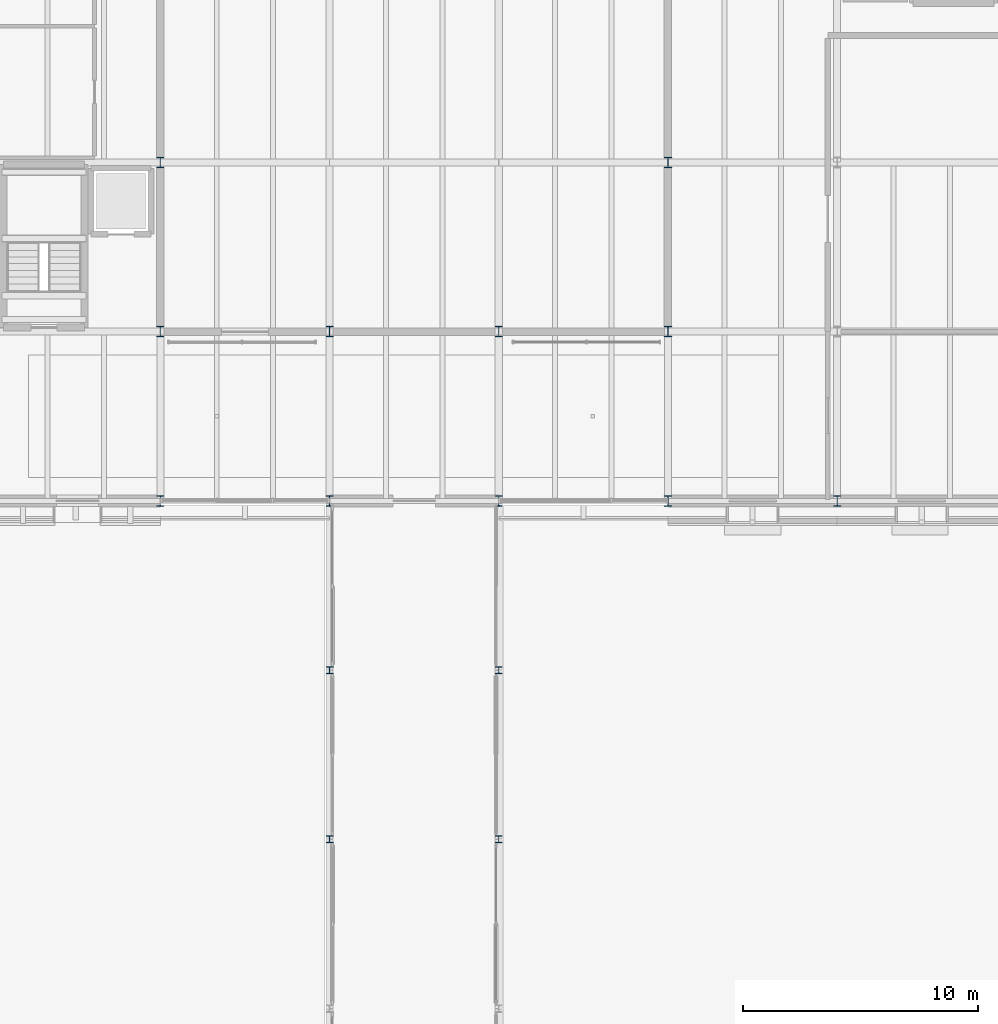
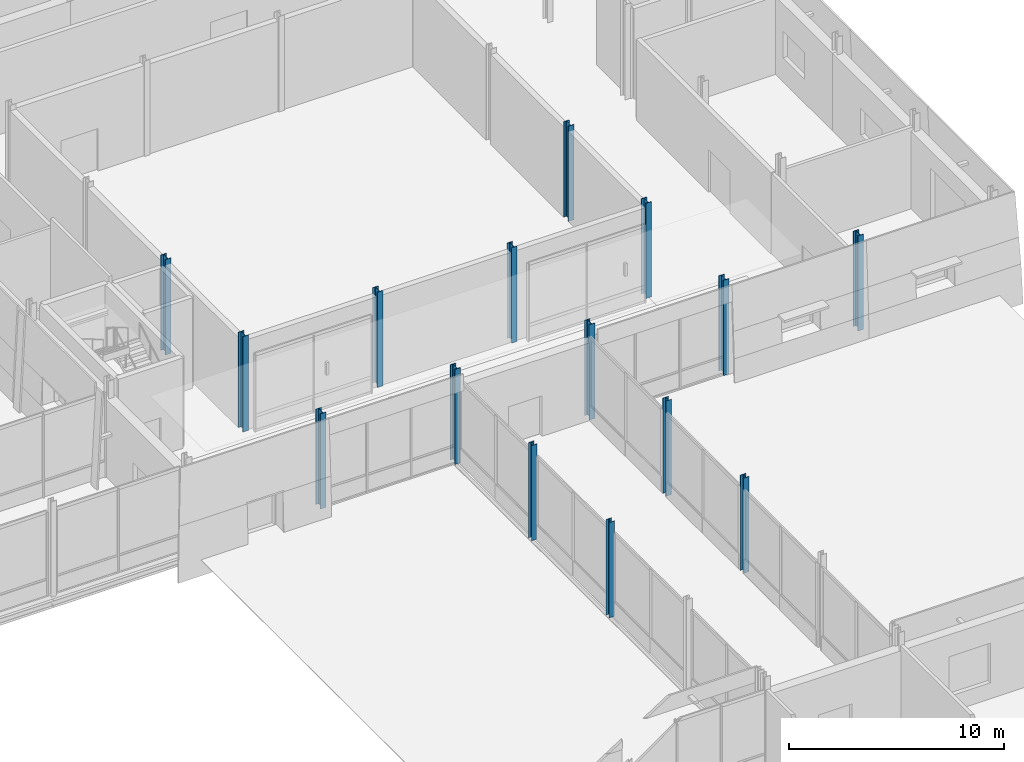
# One storey, part 19 of 120: 15 columns.
"""IFC4 building model written with IfcOpenShell, lengths in metres."""

from ifc_helpers import new_model, si_unit, direction, frame, origin, origin_2d, place, context, subcontext, project, spatial, i_section, extrude, material, material_profile, profile_set, type_object, element, save


model = new_model("IFC4")

# Units and contexts
model_context = context("Model", 3, precision=1e-05, world=origin(), true_north=direction((0.0, 1.0)))
body_context = subcontext(model_context, "Body", "Model", "MODEL_VIEW")
ifc_project = project(units=[si_unit("LENGTHUNIT", "METRE"), si_unit("AREAUNIT", "SQUARE_METRE"), si_unit("VOLUMEUNIT", "CUBIC_METRE"), si_unit("PLANEANGLEUNIT", "RADIAN"), si_unit("MASSUNIT", "GRAM", prefix="KILO")], contexts=[model_context])

# Site, building, storey
site_placement = place(None, origin())
site = spatial("IfcSite", under=ifc_project, at=site_placement, CompositionType="ELEMENT")
building_placement = place(site_placement, origin())
building = spatial("IfcBuilding", under=site, at=building_placement, Name="Narikvali Park Central Library", CompositionType="ELEMENT")
storey_placement = place(building_placement, origin())
storey = spatial("IfcBuildingStorey", under=building, at=storey_placement, Name="L00", CompositionType="ELEMENT", Elevation=0.0)

# Columns
ifc_material = material(Name="Steel S355", Category="steel")
ifc_material_profile_1 = material_profile(ifc_material, i_section(OverallWidth=0.300048828125, OverallDepth=0.300048828125, WebThickness=0.010986328125, FlangeThickness=0.01904296875, FilletRadius=0.027099609375, at=origin_2d()), Name="HEB 300")
ifc_profile_set_1 = profile_set([ifc_material_profile_1], Name="Steel S355")
column_type_1 = type_object("IfcColumnType", Name="Steel Column HEB300", PredefinedType="COLUMN", material=ifc_profile_set_1)
for number, where, z_axis, x_axis, name in (
    (1, (136.800048828125, 64.800048828125, 0.0), (0.0, 0.0, 1.0), (1.0, 0.0, 0.0), "BRG-4 Bridge Pier L00"),
    (2, (144.0, 64.800048828125, 0.0), (0.0, 0.0, 1.0), (1.0, 0.0, 0.0), "BRG-4 Bridge Pier L00"),
    (3, (136.800048828125, 72.0, 0.0), (0.0, 0.0, 1.0), (1.0, 0.0, 0.0), "BRG-4 Bridge Pier L00"),
    (4, (144.0, 72.0, 0.0), (0.0, 0.0, 1.0), (1.0, 0.0, 0.0), "BRG-4 Bridge Pier L00"),
):
    element("IfcColumn", number, at=place(storey_placement, frame(where, z_axis=z_axis, x_axis=x_axis)), inside=storey, type_object=column_type_1, Name=name, PredefinedType="COLUMN", context=body_context, shape_type="SweptSolid", body=[
        extrude(i_section(OverallWidth=0.300048828125, OverallDepth=0.300048828125, WebThickness=0.010986328125, FlangeThickness=0.01904296875, FilletRadius=0.027099609375, at=origin_2d()), origin(), (0.0, 0.0, 1.0), 5.39990234375),
    ])
ifc_material_profile_2 = material_profile(ifc_material, i_section(OverallWidth=0.300048828125, OverallDepth=0.449951171875, WebThickness=0.013916015625, FlangeThickness=0.02587890625, FilletRadius=0.027099609375, at=origin_2d()), Name="HEB 450")
ifc_profile_set_2 = profile_set([ifc_material_profile_2], Name="Steel S355")
column_type_2 = type_object("IfcColumnType", Name="Steel Column HEB450", PredefinedType="COLUMN", material=ifc_profile_set_2)
for number, where, z_axis, x_axis, name in (
    (5, (129.60009765625, 79.199951171875, 0.0), (0.0, 0.0, 1.0), (1.0, 0.0, 0.0), "V3 L00 Column (129.6,79.2)"),
    (6, (129.60009765625, 86.39990234375, 0.0), (0.0, 0.0, 1.0), (1.0, 0.0, 0.0), "V3 L00 Column (129.6,86.4)"),
    (7, (129.60009765625, 93.60009765625, 0.0), (0.0, 0.0, 1.0), (1.0, 0.0, 0.0), "V3 L00 Column (129.6,93.6)"),
    (8, (136.800048828125, 79.199951171875, 0.0), (0.0, 0.0, 1.0), (1.0, 0.0, 0.0), "V3 L00 Column (136.8,79.2)"),
    (9, (136.800048828125, 86.39990234375, 0.0), (0.0, 0.0, 1.0), (1.0, 0.0, 0.0), "V3 L00 Column (136.8,86.4)"),
    (10, (144.0, 79.199951171875, 0.0), (0.0, 0.0, 1.0), (1.0, 0.0, 0.0), "V3 L00 Column (144.0,79.2)"),
    (11, (144.0, 86.39990234375, 0.0), (0.0, 0.0, 1.0), (1.0, 0.0, 0.0), "V3 L00 Column (144.0,86.4)"),
    (12, (151.199951171875, 79.199951171875, 0.0), (0.0, 0.0, 1.0), (1.0, 0.0, 0.0), "V3 L00 Column (151.2,79.2)"),
    (13, (151.199951171875, 86.39990234375, 0.0), (0.0, 0.0, 1.0), (1.0, 0.0, 0.0), "V3 L00 Column (151.2,86.4)"),
    (14, (151.199951171875, 93.60009765625, 0.0), (0.0, 0.0, 1.0), (1.0, 0.0, 0.0), "V3 L00 Column (151.2,93.6)"),
    (15, (158.39990234375, 79.199951171875, 0.0), (0.0, 0.0, 1.0), (1.0, 0.0, 0.0), "V3 L00 Column (158.4,79.2)"),
):
    element("IfcColumn", number, at=place(storey_placement, frame(where, z_axis=z_axis, x_axis=x_axis)), inside=storey, type_object=column_type_2, Name=name, PredefinedType="COLUMN", context=body_context, shape_type="SweptSolid", body=[
        extrude(i_section(OverallWidth=0.300048828125, OverallDepth=0.449951171875, WebThickness=0.013916015625, FlangeThickness=0.02587890625, FilletRadius=0.027099609375, at=origin_2d()), origin(), (0.0, 0.0, 1.0), 5.39990234375),
    ])

save(model, "model.ifc")
